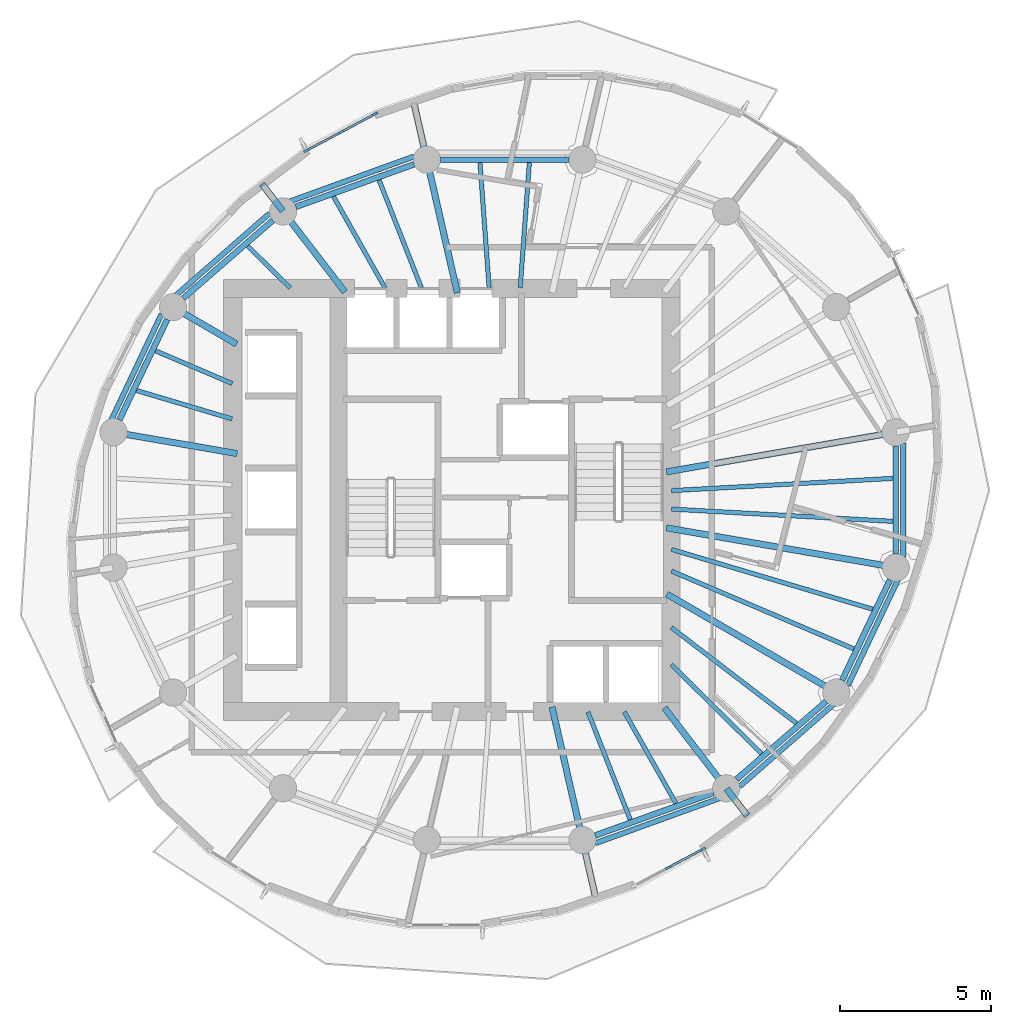
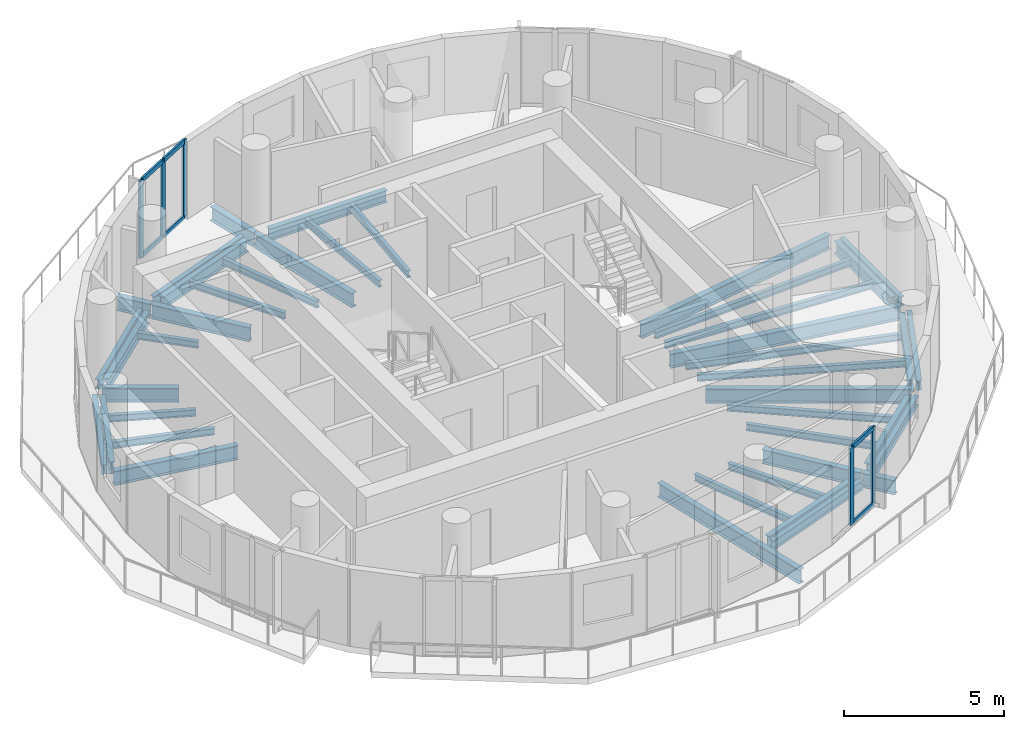
# One storey, part 2 of 10: 43 beams, 11 members, 2 elements without a shape of their own.
"""IFC4 building model written with IfcOpenShell, lengths in metres."""

import ifcopenshell
import ifcopenshell.guid

model = None  # the IFC model being written
_history = None  # IfcOwnerHistory: only IFC2X3 demands one
_inside = {}  # id of a spatial element -> (the spatial element, [elements in it])
_under = {}  # id of a project, library or spatial element -> (it, [spatial elements below it])
_declared = {}  # id of a project -> (the project, [libraries it declares])
_typed = {}  # id of a type object -> (the type object, [elements of that type])
_made_of = {}  # id of a material, layer set ... -> (it, [elements and type objects made of it])


def new_model(schema):
    """Start an empty IFC model of exactly this schema.

    Asked for "IFC4X3", IfcOpenShell would pick the latest addendum, in which some entities
    have other attributes; the version numbers below select the first issue.
    IFC2X3 requires an IfcOwnerHistory on every rooted entity: one is made here for all.
    """
    global model, _history
    if schema == "IFC4X3":
        model = ifcopenshell.file(schema_version=(4, 3, 0, 0))
    else:
        model = ifcopenshell.file(schema=schema)
    _inside.clear()
    _under.clear()
    _declared.clear()
    _typed.clear()
    _made_of.clear()
    _history = None
    if model.schema == "IFC2X3":
        org = make("IfcOrganization", Name="unknown")
        user = make(
            "IfcPersonAndOrganization",
            ThePerson=make("IfcPerson", FamilyName="unknown"),
            TheOrganization=org,
        )
        app = make(
            "IfcApplication",
            ApplicationDeveloper=org,
            Version="unknown",
            ApplicationFullName="unknown",
            ApplicationIdentifier="unknown",
        )
        _history = make(
            "IfcOwnerHistory",
            OwningUser=user,
            OwningApplication=app,
            ChangeAction="ADDED",
            CreationDate=0,
        )
    return model


def make(cls, **values):
    """One entity of the class cls with the attributes given. An attribute that is None is left unset."""
    return model.create_entity(
        cls, **{name: value for name, value in values.items() if value is not None}
    )


def rooted(cls, **values):
    """An entity with a GlobalId (a new one), such as an element, a storey or a relation."""
    return make(cls, GlobalId=ifcopenshell.guid.new(), OwnerHistory=_history, **values)


def si_unit(unit_type, name, prefix=None):
    """IfcSIUnit, for example si_unit("LENGTHUNIT", "METRE", prefix="MILLI")."""
    return make("IfcSIUnit", UnitType=unit_type, Prefix=prefix, Name=name)


def assignment(units):
    """IfcUnitAssignment: the units of a project."""
    return None if units is None else make("IfcUnitAssignment", Units=units)


def point(xyz):
    """IfcCartesianPoint."""
    return None if xyz is None else make("IfcCartesianPoint", Coordinates=xyz)


def direction(xyz):
    """IfcDirection."""
    return None if xyz is None else make("IfcDirection", DirectionRatios=xyz)


def frame(location, z_axis=None, x_axis=None):
    """IfcAxis2Placement3D, a coordinate frame: its origin and axes. An axis left out is left unset."""
    return make(
        "IfcAxis2Placement3D",
        Location=point(location),
        Axis=direction(z_axis),
        RefDirection=direction(x_axis),
    )


def frame_2d(location, x_axis=None):
    """IfcAxis2Placement2D, a coordinate frame in the plane: its origin and x axis."""
    return make(
        "IfcAxis2Placement2D", Location=point(location), RefDirection=direction(x_axis)
    )


def origin():
    """The frame at (0, 0, 0) with its axes left unset."""
    return frame((0.0, 0.0, 0.0))


def origin_2d():
    """The frame at (0, 0) in the plane with its x axis left unset."""
    return frame_2d((0.0, 0.0))


def place(relative_to, where):
    """IfcLocalPlacement: puts the frame where relative to a parent placement (None: the world)."""
    return make(
        "IfcLocalPlacement", PlacementRelTo=relative_to, RelativePlacement=where
    )


def context(
    kind, dimensions, precision=None, world=None, true_north=None, identifier=None
):
    """IfcGeometricRepresentationContext, for example the 3D "Model" context."""
    return make(
        "IfcGeometricRepresentationContext",
        ContextIdentifier=identifier,
        ContextType=kind,
        CoordinateSpaceDimension=dimensions,
        Precision=precision,
        WorldCoordinateSystem=world,
        TrueNorth=true_north,
    )


def subcontext(parent, identifier, kind, view, scale=None):
    """IfcGeometricRepresentationSubContext, for example "Body" below "Model"."""
    return make(
        "IfcGeometricRepresentationSubContext",
        ContextIdentifier=identifier,
        ContextType=kind,
        ParentContext=parent,
        TargetScale=scale,
        TargetView=view,
    )


def project(units=None, contexts=None):
    """IfcProject with its units and contexts."""
    return rooted(
        "IfcProject",
        Name="project",
        RepresentationContexts=contexts,
        UnitsInContext=assignment(units),
    )


def spatial(cls, under=None, at=None, **own):
    """A site, building, storey or space (cls), placed at a placement, below another one or the project."""
    s = rooted(cls, ObjectPlacement=at, **own)
    if under is not None:
        _under.setdefault(under.id(), (under, []))[1].append(s)
    return s


def profile(cls, at=None, kind="AREA", **sizes):
    """A parametric profile (cls). Its sizes go by their IFC names, for example OverallWidth=200.0."""
    return make(cls, ProfileType=kind, Position=at, **sizes)


def rectangle(**sizes):
    """IfcRectangleProfileDef."""
    return profile("IfcRectangleProfileDef", **sizes)


def i_section(**sizes):
    """IfcIShapeProfileDef."""
    return profile("IfcIShapeProfileDef", **sizes)


def extrude(swept, where, along, depth):
    """IfcExtrudedAreaSolid: the profile swept, set in the frame where, extruded along a direction by depth."""
    return make(
        "IfcExtrudedAreaSolid",
        SweptArea=swept,
        Position=where,
        ExtrudedDirection=direction(along),
        Depth=depth,
    )


def shape(context_of_items, identifier, shape_type, items):
    """IfcShapeRepresentation: the items that make up one representation, for example the "Body"."""
    return make(
        "IfcShapeRepresentation",
        ContextOfItems=context_of_items,
        RepresentationIdentifier=identifier,
        RepresentationType=shape_type,
        Items=items,
    )


def material(Name=None, Category=None):
    """IfcMaterial."""
    return make("IfcMaterial", Name=Name, Category=Category)


def material_profile(
    of_material, cross_section, Name=None, Category=None, Priority=None
):
    """IfcMaterialProfile: a cross section and its material."""
    return make(
        "IfcMaterialProfile",
        Name=Name,
        Material=of_material,
        Profile=cross_section,
        Priority=Priority,
        Category=Category,
    )


def profile_set(profiles, Name=None, composite=None):
    """IfcMaterialProfileSet."""
    return make(
        "IfcMaterialProfileSet",
        Name=Name,
        MaterialProfiles=profiles,
        CompositeProfile=composite,
    )


def made_of(thing, what):
    """Note that an element or type object is made of a material, layer set ...; save() writes the relation."""
    if what is not None:
        _made_of.setdefault(what.id(), (what, []))[1].append(thing)
    return thing


def type_object(cls, material=None, **own):
    """A type object (cls), such as IfcWallType, which elements share."""
    return made_of(rooted(cls, **own), material)


def element(
    cls,
    number,
    at=None,
    inside=None,
    cuts=None,
    type_object=None,
    material=None,
    context=None,
    identifier="Body",
    shape_type=None,
    held_by="IfcProductDefinitionShape",
    body=None,
    shapes=None,
    **own,
):
    """One element of the class cls, such as IfcWall. Its Tag is "e" and its number.

    at: its placement. inside: the storey or other place that contains it. cuts: it is an
    opening in that element (IfcRelVoidsElement). A single representation is given by context,
    identifier, shape_type and body (its items); several are given by shapes. held_by: the class
    of the entity that holds the representations. save() writes the other relations.
    """
    e = rooted(cls, Tag="e%d" % number, ObjectPlacement=at, **own)
    if body is not None:
        shapes = [shape(context, identifier, shape_type, body)]
    if shapes is not None:
        e.Representation = make(held_by, Representations=shapes)
    if inside is not None:
        _inside.setdefault(inside.id(), (inside, []))[1].append(e)
    if cuts is not None:
        rooted(
            "IfcRelVoidsElement", RelatingBuildingElement=cuts, RelatedOpeningElement=e
        )
    if type_object is not None:
        _typed.setdefault(type_object.id(), (type_object, []))[1].append(e)
    return made_of(e, material)


def aggregate(whole, parts):
    """IfcRelAggregates: a whole, such as a stair, and the parts it consists of."""
    return rooted("IfcRelAggregates", RelatingObject=whole, RelatedObjects=parts)


def save(model, path):
    """Write the relations noted so far, then the file.

    IfcRelAggregates (storeys below a building ...), IfcRelContainedInSpatialStructure (elements
    in a storey), IfcRelDefinesByType, IfcRelAssociatesMaterial and IfcRelDeclares: one each for
    every whole, place, type object, material and project.
    """
    for whole, parts in _under.values():
        aggregate(whole, parts)
    for where, things in _inside.values():
        rooted(
            "IfcRelContainedInSpatialStructure",
            RelatedElements=things,
            RelatingStructure=where,
        )
    for kind, things in _typed.values():
        rooted("IfcRelDefinesByType", RelatedObjects=things, RelatingType=kind)
    for what, things in _made_of.values():
        rooted("IfcRelAssociatesMaterial", RelatedObjects=things, RelatingMaterial=what)
    for by, libraries in _declared.values():
        rooted("IfcRelDeclares", RelatingContext=by, RelatedDefinitions=libraries)
    model.write(path)


model = new_model("IFC4")

# Units and contexts
model_context = context("Model", 3, precision=1e-05, world=origin(), true_north=direction((0.0, 1.0)))
body_context = subcontext(model_context, "Body", "Model", "MODEL_VIEW")
ifc_project = project(units=[si_unit("LENGTHUNIT", "METRE"), si_unit("AREAUNIT", "SQUARE_METRE"), si_unit("VOLUMEUNIT", "CUBIC_METRE"), si_unit("PLANEANGLEUNIT", "RADIAN"), si_unit("MASSUNIT", "GRAM", prefix="KILO")], contexts=[model_context])

# Site, building, storey
site_placement = place(None, origin())
site = spatial("IfcSite", under=ifc_project, at=site_placement, CompositionType="ELEMENT")
building_placement = place(site_placement, origin())
building = spatial("IfcBuilding", under=site, at=building_placement, Name="Veldorim Arch Residences", CompositionType="ELEMENT")
storey_placement = place(building_placement, frame((0.0, 0.0, 166.239990234375)))
storey = spatial("IfcBuildingStorey", under=building, at=storey_placement, Name="L49", CompositionType="ELEMENT", Elevation=166.239990234375)

# Beams
ifc_material_1 = material(Name="Steel S355", Category="steel")
ifc_material_profile_1 = material_profile(ifc_material_1, i_section(OverallWidth=0.2119140625, OverallDepth=0.54443359375, WebThickness=0.0126953125, FlangeThickness=0.021240234375, at=origin_2d()), Name="UB533x210x122")
ifc_profile_set_1 = profile_set([ifc_material_profile_1], Name="Steel S355")
beam_type_1 = type_object("IfcBeamType", Name="Structural Steel Beam UB533x210x122", PredefinedType="BEAM", material=ifc_profile_set_1)
beam_1_placement = place(storey_placement, frame((37.352294921875, 24.92578125, -0.51220703125), z_axis=(0.985364974081, 0.170457818401, 0.0), x_axis=(-0.170457818401, 0.985364974081, 0.0)))
element("IfcBeam", 1, at=beam_1_placement, inside=storey, type_object=beam_type_1, Name="L49 radial floor girder 01", PredefinedType="BEAM", context=body_context, shape_type="SweptSolid", body=[
    extrude(i_section(OverallWidth=0.2119140625, OverallDepth=0.54443359375, WebThickness=0.0126953125, FlangeThickness=0.021240234375, at=origin_2d()), origin(), (0.0, 0.0, 1.0), 7.68701171875),
])
beam_2_placement = place(storey_placement, frame((30.432373046875, 30.853759765625, -0.51220703125), z_axis=(-0.222952976993, 0.97482920045, 0.0), x_axis=(-0.97482920045, -0.222952976993, 0.0)))
element("IfcBeam", 2, at=beam_2_placement, inside=storey, type_object=beam_type_1, Name="L49 radial floor girder 05", PredefinedType="BEAM", context=body_context, shape_type="SweptSolid", body=[
    extrude(i_section(OverallWidth=0.2119140625, OverallDepth=0.54443359375, WebThickness=0.0126953125, FlangeThickness=0.021240234375, at=origin_2d()), origin(), (0.0, 0.0, 1.0), 4.49951171875),
])
beam_3_placement = place(storey_placement, frame((29.42041015625, 35.27880859375, -0.51220703125), z_axis=(-0.223002397565, 0.974817896163, 0.0), x_axis=(-0.974817896163, -0.223002397565, 0.0)))
element("IfcBeam", 3, at=beam_3_placement, inside=storey, type_object=beam_type_1, Name="L49 radial edge cantilever girder 05", PredefinedType="BEAM", context=body_context, shape_type="SweptSolid", body=[
    extrude(i_section(OverallWidth=0.2119140625, OverallDepth=0.54443359375, WebThickness=0.0126953125, FlangeThickness=0.021240234375, at=origin_2d()), origin(), (0.0, 0.0, 1.0), 1.978271484375),
])
beam_4_placement = place(storey_placement, frame((26.71337890625, 30.881103515625, -0.51220703125), z_axis=(-0.609258442308, 0.792971721108, 0.0), x_axis=(-0.792971721108, -0.609258442308, 0.0)))
element("IfcBeam", 4, at=beam_4_placement, inside=storey, type_object=beam_type_1, Name="L49 radial floor girder 06", PredefinedType="BEAM", context=body_context, shape_type="SweptSolid", body=[
    extrude(i_section(OverallWidth=0.2119140625, OverallDepth=0.54443359375, WebThickness=0.0126953125, FlangeThickness=0.021240234375, at=origin_2d()), origin(), (0.0, 0.0, 1.0), 3.339599609375),
])
beam_5_placement = place(storey_placement, frame((24.654296875, 33.561279296875, -0.51220703125), z_axis=(-0.609364739023, 0.792890039561, 0.0), x_axis=(-0.792890039561, -0.609364739023, 0.0)))
element("IfcBeam", 5, at=beam_5_placement, inside=storey, type_object=beam_type_1, Name="L49 radial edge cantilever girder 06", PredefinedType="BEAM", context=body_context, shape_type="SweptSolid", body=[
    extrude(i_section(OverallWidth=0.2119140625, OverallDepth=0.54443359375, WebThickness=0.0126953125, FlangeThickness=0.021240234375, at=origin_2d()), origin(), (0.0, 0.0, 1.0), 1.12548828125),
])
beam_6_placement = place(storey_placement, frame((23.129638671875, 29.154541015625, -0.51220703125), z_axis=(-0.86457358994, 0.502506226407, 0.0), x_axis=(-0.502506226407, -0.86457358994, 0.0)))
element("IfcBeam", 6, at=beam_6_placement, inside=storey, type_object=beam_type_1, Name="L49 radial floor girder 07", PredefinedType="BEAM", context=body_context, shape_type="SweptSolid", body=[
    extrude(i_section(OverallWidth=0.2119140625, OverallDepth=0.54443359375, WebThickness=0.0126953125, FlangeThickness=0.021240234375, at=origin_2d()), origin(), (0.0, 0.0, 1.0), 2.41455078125),
])
beam_7_placement = place(storey_placement, frame((23.147705078125, 25.53125, -0.51220703125), z_axis=(-0.985365193997, 0.170456547131, 0.0), x_axis=(-0.170456547131, -0.985365193997, 0.0)))
element("IfcBeam", 7, at=beam_7_placement, inside=storey, type_object=beam_type_1, Name="L49 radial floor girder 08", PredefinedType="BEAM", context=body_context, shape_type="SweptSolid", body=[
    extrude(i_section(OverallWidth=0.2119140625, OverallDepth=0.54443359375, WebThickness=0.0126953125, FlangeThickness=0.021240234375, at=origin_2d()), origin(), (0.0, 0.0, 1.0), 4.135009765625),
])
beam_8_placement = place(storey_placement, frame((33.567626953125, 17.146240234375, -0.51220703125), z_axis=(0.222952976993, -0.97482920045, 0.0), x_axis=(0.97482920045, 0.222952976993, 0.0)))
element("IfcBeam", 8, at=beam_8_placement, inside=storey, type_object=beam_type_1, Name="L49 radial floor girder 13", PredefinedType="BEAM", context=body_context, shape_type="SweptSolid", body=[
    extrude(i_section(OverallWidth=0.2119140625, OverallDepth=0.54443359375, WebThickness=0.0126953125, FlangeThickness=0.021240234375, at=origin_2d()), origin(), (0.0, 0.0, 1.0), 4.49951171875),
])
beam_9_placement = place(storey_placement, frame((34.57958984375, 12.72119140625, -0.51220703125), z_axis=(0.223002397565, -0.974817896163, 0.0), x_axis=(0.974817896163, 0.223002397565, 0.0)))
element("IfcBeam", 9, at=beam_9_placement, inside=storey, type_object=beam_type_1, Name="L49 radial edge cantilever girder 13", PredefinedType="BEAM", context=body_context, shape_type="SweptSolid", body=[
    extrude(i_section(OverallWidth=0.2119140625, OverallDepth=0.54443359375, WebThickness=0.0126953125, FlangeThickness=0.021240234375, at=origin_2d()), origin(), (0.0, 0.0, 1.0), 1.978271484375),
])
beam_10_placement = place(storey_placement, frame((37.28662109375, 17.118896484375, -0.51220703125), z_axis=(0.609258442308, -0.792971721108, 0.0), x_axis=(0.792971721108, 0.609258442308, 0.0)))
element("IfcBeam", 10, at=beam_10_placement, inside=storey, type_object=beam_type_1, Name="L49 radial floor girder 14", PredefinedType="BEAM", context=body_context, shape_type="SweptSolid", body=[
    extrude(i_section(OverallWidth=0.2119140625, OverallDepth=0.54443359375, WebThickness=0.0126953125, FlangeThickness=0.021240234375, at=origin_2d()), origin(), (0.0, 0.0, 1.0), 3.339599609375),
])
beam_11_placement = place(storey_placement, frame((39.345703125, 14.438720703125, -0.51220703125), z_axis=(0.609364739023, -0.792890039561, 0.0), x_axis=(0.792890039561, 0.609364739023, 0.0)))
element("IfcBeam", 11, at=beam_11_placement, inside=storey, type_object=beam_type_1, Name="L49 radial edge cantilever girder 14", PredefinedType="BEAM", context=body_context, shape_type="SweptSolid", body=[
    extrude(i_section(OverallWidth=0.2119140625, OverallDepth=0.54443359375, WebThickness=0.0126953125, FlangeThickness=0.021240234375, at=origin_2d()), origin(), (0.0, 0.0, 1.0), 1.12548828125),
])
beam_12_placement = place(storey_placement, frame((37.370361328125, 20.87939453125, -0.51220703125), z_axis=(0.864595736304, -0.502468121142, 0.0), x_axis=(0.502468121142, 0.864595736304, 0.0)))
element("IfcBeam", 12, at=beam_12_placement, inside=storey, type_object=beam_type_1, Name="L49 radial floor girder 15", PredefinedType="BEAM", context=body_context, shape_type="SweptSolid", body=[
    extrude(i_section(OverallWidth=0.2119140625, OverallDepth=0.54443359375, WebThickness=0.0126953125, FlangeThickness=0.021240234375, at=origin_2d()), origin(), (0.0, 0.0, 1.0), 6.462646484375),
])
beam_13_placement = place(storey_placement, frame((37.352294921875, 23.07421875, -0.51220703125), z_axis=(0.985364974081, -0.170457818401, 0.0), x_axis=(0.170457818401, 0.985364974081, 0.0)))
element("IfcBeam", 13, at=beam_13_placement, inside=storey, type_object=beam_type_1, Name="L49 radial floor girder 16", PredefinedType="BEAM", context=body_context, shape_type="SweptSolid", body=[
    extrude(i_section(OverallWidth=0.2119140625, OverallDepth=0.54443359375, WebThickness=0.0126953125, FlangeThickness=0.021240234375, at=origin_2d()), origin(), (0.0, 0.0, 1.0), 7.68701171875),
])
ifc_material_2 = material(Name="Steel S355", Category="steel")
ifc_material_profile_2 = material_profile(ifc_material_2, i_section(OverallWidth=0.146484375, OverallDepth=0.256103515625, WebThickness=0.00634765625, FlangeThickness=0.010986328125, at=origin_2d()), Name="UB254x146x37")
ifc_profile_set_2 = profile_set([ifc_material_profile_2], Name="Steel S355")
beam_type_2 = type_object("IfcBeamType", Name="Structural Steel Joist UB254x146x37", PredefinedType="JOIST", material=ifc_profile_set_2)
for number, where, z_axis, x_axis, name in (
    (14, (32.513916015625, 31.02001953125, -0.367919921875), (0.072985625899, 0.997332992742, 0.0), (-0.997332992742, 0.072985625899, 0.0), "L49 secondary radial floor joist 04-1"),
    (15, (31.486083984375, 31.02001953125, -0.367919921875), (-0.072985625899, 0.997332992742, 0.0), (-0.997332992742, -0.072985625899, 0.0), "L49 secondary radial floor joist 04-2"),
):
    element("IfcBeam", number, at=place(storey_placement, frame(where, z_axis=z_axis, x_axis=x_axis)), inside=storey, type_object=beam_type_2, Name=name, PredefinedType="JOIST", context=body_context, shape_type="SweptSolid", body=[
        extrude(i_section(OverallWidth=0.146484375, OverallDepth=0.256103515625, WebThickness=0.00634765625, FlangeThickness=0.010986328125, at=origin_2d()), origin(), (0.0, 0.0, 1.0), 4.151123046875),
    ])
beam_14_placement = place(storey_placement, frame((29.24365234375, 31.0185546875, -0.367919921875), z_axis=(-0.365581383042, 0.930779379001, 0.0), x_axis=(-0.930779379001, -0.365581383042, 0.0)))
element("IfcBeam", 16, at=beam_14_placement, inside=storey, type_object=beam_type_2, Name="L49 secondary radial floor joist 05-1", PredefinedType="JOIST", context=body_context, shape_type="SweptSolid", body=[
    extrude(i_section(OverallWidth=0.146484375, OverallDepth=0.256103515625, WebThickness=0.00634765625, FlangeThickness=0.010986328125, at=origin_2d()), origin(), (0.0, 0.0, 1.0), 3.83056640625),
])
beam_15_placement = place(storey_placement, frame((28.039794921875, 31.017333984375, -0.367919921875), z_axis=(-0.491452469585, 0.870904397818, 0.0), x_axis=(-0.870904397818, -0.491452469585, 0.0)))
element("IfcBeam", 17, at=beam_15_placement, inside=storey, type_object=beam_type_2, Name="L49 secondary radial floor joist 05-2", PredefinedType="JOIST", context=body_context, shape_type="SweptSolid", body=[
    extrude(i_section(OverallWidth=0.146484375, OverallDepth=0.256103515625, WebThickness=0.00634765625, FlangeThickness=0.010986328125, at=origin_2d()), origin(), (0.0, 0.0, 1.0), 3.472412109375),
])
beam_16_placement = place(storey_placement, frame((24.900390625, 31.01416015625, -0.367919921875), z_axis=(-0.71143147135, 0.702755477797, 0.0), x_axis=(-0.702755477797, -0.71143147135, 0.0)))
element("IfcBeam", 18, at=beam_16_placement, inside=storey, type_object=beam_type_2, Name="L49 secondary radial floor joist 06-1", PredefinedType="JOIST", context=body_context, shape_type="SweptSolid", body=[
    extrude(i_section(OverallWidth=0.146484375, OverallDepth=0.256103515625, WebThickness=0.00634765625, FlangeThickness=0.010986328125, at=origin_2d()), origin(), (0.0, 0.0, 1.0), 1.9697265625),
])
beam_17_placement = place(storey_placement, frame((22.981689453125, 27.849609375, -0.367919921875), z_axis=(-0.919739383422, 0.392529574151, 0.0), x_axis=(-0.392529574151, -0.919739383422, 0.0)))
element("IfcBeam", 19, at=beam_17_placement, inside=storey, type_object=beam_type_2, Name="L49 secondary radial floor joist 07-1", PredefinedType="JOIST", context=body_context, shape_type="SweptSolid", body=[
    extrude(i_section(OverallWidth=0.146484375, OverallDepth=0.256103515625, WebThickness=0.00634765625, FlangeThickness=0.010986328125, at=origin_2d()), origin(), (0.0, 0.0, 1.0), 2.757080078125),
])
beam_18_placement = place(storey_placement, frame((22.980712890625, 26.67919921875, -0.367919921875), z_axis=(-0.958596993625, 0.284766226601, 0.0), x_axis=(-0.284766226601, -0.958596993625, 0.0)))
element("IfcBeam", 20, at=beam_18_placement, inside=storey, type_object=beam_type_2, Name="L49 secondary radial floor joist 07-2", PredefinedType="JOIST", context=body_context, shape_type="SweptSolid", body=[
    extrude(i_section(OverallWidth=0.146484375, OverallDepth=0.256103515625, WebThickness=0.00634765625, FlangeThickness=0.010986328125, at=origin_2d()), origin(), (0.0, 0.0, 1.0), 3.298095703125),
])
beam_19_placement = place(storey_placement, frame((34.75634765625, 16.9814453125, -0.367919921875), z_axis=(0.365581383042, -0.930779379001, 0.0), x_axis=(0.930779379001, 0.365581383042, 0.0)))
element("IfcBeam", 21, at=beam_19_placement, inside=storey, type_object=beam_type_2, Name="L49 secondary radial floor joist 13-1", PredefinedType="JOIST", context=body_context, shape_type="SweptSolid", body=[
    extrude(i_section(OverallWidth=0.146484375, OverallDepth=0.256103515625, WebThickness=0.00634765625, FlangeThickness=0.010986328125, at=origin_2d()), origin(), (0.0, 0.0, 1.0), 3.83056640625),
])
beam_20_placement = place(storey_placement, frame((35.960205078125, 16.982666015625, -0.367919921875), z_axis=(0.491452469585, -0.870904397818, 0.0), x_axis=(0.870904397818, 0.491452469585, 0.0)))
element("IfcBeam", 22, at=beam_20_placement, inside=storey, type_object=beam_type_2, Name="L49 secondary radial floor joist 13-2", PredefinedType="JOIST", context=body_context, shape_type="SweptSolid", body=[
    extrude(i_section(OverallWidth=0.146484375, OverallDepth=0.256103515625, WebThickness=0.00634765625, FlangeThickness=0.010986328125, at=origin_2d()), origin(), (0.0, 0.0, 1.0), 3.472412109375),
])
beam_21_placement = place(storey_placement, frame((37.51416015625, 18.55224609375, -0.367919921875), z_axis=(0.711396725432, -0.702790650937, 0.0), x_axis=(0.702790650937, 0.711396725432, 0.0)))
element("IfcBeam", 23, at=beam_21_placement, inside=storey, type_object=beam_type_2, Name="L49 secondary radial floor joist 14-1", PredefinedType="JOIST", context=body_context, shape_type="SweptSolid", body=[
    extrude(i_section(OverallWidth=0.146484375, OverallDepth=0.256103515625, WebThickness=0.00634765625, FlangeThickness=0.010986328125, at=origin_2d()), origin(), (0.0, 0.0, 1.0), 4.198486328125),
])
beam_22_placement = place(storey_placement, frame((37.515869140625, 19.777099609375, -0.367919921875), z_axis=(0.794013672216, -0.607899899929, 0.0), x_axis=(0.607899899929, 0.794013672216, 0.0)))
element("IfcBeam", 24, at=beam_22_placement, inside=storey, type_object=beam_type_2, Name="L49 secondary radial floor joist 14-2", PredefinedType="JOIST", context=body_context, shape_type="SweptSolid", body=[
    extrude(i_section(OverallWidth=0.146484375, OverallDepth=0.256103515625, WebThickness=0.00634765625, FlangeThickness=0.010986328125, at=origin_2d()), origin(), (0.0, 0.0, 1.0), 5.217041015625),
])
beam_23_placement = place(storey_placement, frame((37.518310546875, 21.644287109375, -0.367919921875), z_axis=(0.919725161652, -0.392562895629, 0.0), x_axis=(0.392562895629, 0.919725161652, 0.0)))
element("IfcBeam", 25, at=beam_23_placement, inside=storey, type_object=beam_type_2, Name="L49 secondary radial floor joist 15-1", PredefinedType="JOIST", context=body_context, shape_type="SweptSolid", body=[
    extrude(i_section(OverallWidth=0.146484375, OverallDepth=0.256103515625, WebThickness=0.00634765625, FlangeThickness=0.010986328125, at=origin_2d()), origin(), (0.0, 0.0, 1.0), 6.5625),
])
beam_24_placement = place(storey_placement, frame((37.519287109375, 22.360595703125, -0.367919921875), z_axis=(0.958594432792, -0.284774846889, 0.0), x_axis=(0.284774846889, 0.958594432792, 0.0)))
element("IfcBeam", 26, at=beam_24_placement, inside=storey, type_object=beam_type_2, Name="L49 secondary radial floor joist 15-2", PredefinedType="JOIST", context=body_context, shape_type="SweptSolid", body=[
    extrude(i_section(OverallWidth=0.146484375, OverallDepth=0.256103515625, WebThickness=0.00634765625, FlangeThickness=0.010986328125, at=origin_2d()), origin(), (0.0, 0.0, 1.0), 6.949462890625),
])
for number, where, z_axis, x_axis, name in (
    (27, (37.52001953125, 23.6943359375, -0.367919921875), (0.998472000884, -0.055259962464, 0.0), (0.055259962464, 0.998472000884, 0.0), "L49 secondary radial floor joist 16-1"),
    (28, (37.52001953125, 24.3056640625, -0.367919921875), (0.998472000884, 0.055259962464, 0.0), (-0.055259962464, 0.998472000884, 0.0), "L49 secondary radial floor joist 16-2"),
):
    element("IfcBeam", number, at=place(storey_placement, frame(where, z_axis=z_axis, x_axis=x_axis)), inside=storey, type_object=beam_type_2, Name=name, PredefinedType="JOIST", context=body_context, shape_type="SweptSolid", body=[
        extrude(i_section(OverallWidth=0.146484375, OverallDepth=0.256103515625, WebThickness=0.00634765625, FlangeThickness=0.010986328125, at=origin_2d()), origin(), (0.0, 0.0, 1.0), 7.33837890625),
    ])
ifc_material_3 = material(Name="Steel S355", Category="steel")
ifc_material_profile_3 = material_profile(ifc_material_3, i_section(OverallWidth=0.172119140625, OverallDepth=0.35791015625, WebThickness=0.008056640625, FlangeThickness=0.012939453125, at=origin_2d()), Name="UB356x171x57")
ifc_profile_set_3 = profile_set([ifc_material_profile_3], Name="Steel S355")
beam_type_3 = type_object("IfcBeamType", Name="Structural Steel Spandrel UB356x171x57", PredefinedType="SPANDREL", material=ifc_profile_set_3)
beam_25_placement = place(storey_placement, frame((28.997314453125, 35.36572265625, -0.43896484375), z_axis=(-0.940164695555, -0.340720332871, 0.0), x_axis=(0.340720332871, -0.940164695555, 0.0)))
element("IfcBeam", 29, at=beam_25_placement, inside=storey, type_object=beam_type_3, Name="L49 perimeter chord spandrel beam 05", PredefinedType="SPANDREL", context=body_context, shape_type="SweptSolid", body=[
    extrude(i_section(OverallWidth=0.172119140625, OverallDepth=0.35791015625, WebThickness=0.008056640625, FlangeThickness=0.012939453125, at=origin_2d()), origin(), (0.0, 0.0, 1.0), 4.370849609375),
])
beam_26_placement = place(storey_placement, frame((24.217529296875, 33.48095703125, -0.43896484375), z_axis=(-0.752847646119, -0.6581948205, 0.0), x_axis=(0.6581948205, -0.752847646119, 0.0)))
element("IfcBeam", 30, at=beam_26_placement, inside=storey, type_object=beam_type_3, Name="L49 perimeter chord spandrel beam 06", PredefinedType="SPANDREL", context=body_context, shape_type="SweptSolid", body=[
    extrude(i_section(OverallWidth=0.172119140625, OverallDepth=0.35791015625, WebThickness=0.008056640625, FlangeThickness=0.012939453125, at=origin_2d()), origin(), (0.0, 0.0, 1.0), 4.12939453125),
])
beam_27_placement = place(storey_placement, frame((20.64111328125, 30.144287109375, -0.43896484375), z_axis=(-0.428408308939, -0.903585259304, 0.0), x_axis=(0.903585259304, -0.428408308939, 0.0)))
element("IfcBeam", 31, at=beam_27_placement, inside=storey, type_object=beam_type_3, Name="L49 perimeter chord spandrel beam 07", PredefinedType="SPANDREL", context=body_context, shape_type="SweptSolid", body=[
    extrude(i_section(OverallWidth=0.172119140625, OverallDepth=0.35791015625, WebThickness=0.008056640625, FlangeThickness=0.012939453125, at=origin_2d()), origin(), (0.0, 0.0, 1.0), 3.878662109375),
])
beam_28_placement = place(storey_placement, frame((35.002685546875, 12.63427734375, -0.43896484375), z_axis=(0.940164695555, 0.340720332871, 0.0), x_axis=(-0.340720332871, 0.940164695555, 0.0)))
element("IfcBeam", 32, at=beam_28_placement, inside=storey, type_object=beam_type_3, Name="L49 perimeter chord spandrel beam 13", PredefinedType="SPANDREL", context=body_context, shape_type="SweptSolid", body=[
    extrude(i_section(OverallWidth=0.172119140625, OverallDepth=0.35791015625, WebThickness=0.008056640625, FlangeThickness=0.012939453125, at=origin_2d()), origin(), (0.0, 0.0, 1.0), 4.370849609375),
])
beam_29_placement = place(storey_placement, frame((39.782470703125, 14.51904296875, -0.43896484375), z_axis=(0.752847646119, 0.6581948205, 0.0), x_axis=(-0.6581948205, 0.752847646119, 0.0)))
element("IfcBeam", 33, at=beam_29_placement, inside=storey, type_object=beam_type_3, Name="L49 perimeter chord spandrel beam 14", PredefinedType="SPANDREL", context=body_context, shape_type="SweptSolid", body=[
    extrude(i_section(OverallWidth=0.172119140625, OverallDepth=0.35791015625, WebThickness=0.008056640625, FlangeThickness=0.012939453125, at=origin_2d()), origin(), (0.0, 0.0, 1.0), 4.12939453125),
])
beam_30_placement = place(storey_placement, frame((43.35888671875, 17.855712890625, -0.43896484375), z_axis=(0.428408308939, 0.903585259304, 0.0), x_axis=(-0.903585259304, 0.428408308939, 0.0)))
element("IfcBeam", 34, at=beam_30_placement, inside=storey, type_object=beam_type_3, Name="L49 perimeter chord spandrel beam 15", PredefinedType="SPANDREL", context=body_context, shape_type="SweptSolid", body=[
    extrude(i_section(OverallWidth=0.172119140625, OverallDepth=0.35791015625, WebThickness=0.008056640625, FlangeThickness=0.012939453125, at=origin_2d()), origin(), (0.0, 0.0, 1.0), 3.878662109375),
])
beam_31_placement = place(storey_placement, frame((45.190185546875, 22.1142578125, -0.43896484375), z_axis=(0.0, 1.0, 0.0), x_axis=(-1.0, 0.0, 0.0)))
element("IfcBeam", 35, at=beam_31_placement, inside=storey, type_object=beam_type_3, Name="L49 perimeter chord spandrel beam 16", PredefinedType="SPANDREL", context=body_context, shape_type="SweptSolid", body=[
    extrude(i_section(OverallWidth=0.172119140625, OverallDepth=0.35791015625, WebThickness=0.008056640625, FlangeThickness=0.012939453125, at=origin_2d()), origin(), (0.0, 0.0, 1.0), 3.771484375),
])
ifc_material_4 = material(Name="Steel S355", Category="steel")
ifc_material_profile_4 = material_profile(ifc_material_4, i_section(OverallWidth=0.19140625, OverallDepth=0.4599609375, WebThickness=0.010009765625, FlangeThickness=0.01611328125, at=origin_2d()), Name="UB457x191x82")
ifc_profile_set_4 = profile_set([ifc_material_profile_4], Name="Steel S355")
beam_type_4 = type_object("IfcBeamType", Name="Structural Steel Spandrel UB457x191x82", PredefinedType="SPANDREL", material=ifc_profile_set_4)
beam_32_placement = place(storey_placement, frame((34.125244140625, 35.259521484375, -0.469970703125), z_axis=(-1.0, 0.0, 0.0), x_axis=(0.0, -1.0, 0.0)))
element("IfcBeam", 36, at=beam_32_placement, inside=storey, type_object=beam_type_4, Name="L49 perimeter ring tie beam 04", PredefinedType="SPANDREL", context=body_context, shape_type="SweptSolid", body=[
    extrude(i_section(OverallWidth=0.19140625, OverallDepth=0.4599609375, WebThickness=0.010009765625, FlangeThickness=0.01611328125, at=origin_2d()), origin(), (0.0, 0.0, 1.0), 4.25048828125),
])
beam_33_placement = place(storey_placement, frame((29.00146484375, 35.10693359375, -0.469970703125), z_axis=(-0.940811035395, -0.338931550137, 0.0), x_axis=(0.338931550137, -0.940811035395, 0.0)))
element("IfcBeam", 37, at=beam_33_placement, inside=storey, type_object=beam_type_4, Name="L49 perimeter ring tie beam 05", PredefinedType="SPANDREL", context=body_context, shape_type="SweptSolid", body=[
    extrude(i_section(OverallWidth=0.19140625, OverallDepth=0.4599609375, WebThickness=0.010009765625, FlangeThickness=0.01611328125, at=origin_2d()), origin(), (0.0, 0.0, 1.0), 4.15771484375),
])
beam_34_placement = place(storey_placement, frame((24.326904296875, 33.25, -0.469970703125), z_axis=(-0.754545285701, -0.656247980436, 0.0), x_axis=(0.656247980436, -0.754545285701, 0.0)))
element("IfcBeam", 38, at=beam_34_placement, inside=storey, type_object=beam_type_4, Name="L49 perimeter ring tie beam 06", PredefinedType="SPANDREL", context=body_context, shape_type="SweptSolid", body=[
    extrude(i_section(OverallWidth=0.19140625, OverallDepth=0.4599609375, WebThickness=0.010009765625, FlangeThickness=0.01611328125, at=origin_2d()), origin(), (0.0, 0.0, 1.0), 3.9267578125),
])
beam_35_placement = place(storey_placement, frame((20.8310546875, 29.9716796875, -0.469970703125), z_axis=(-0.430005613988, -0.902826213586, 0.0), x_axis=(0.902826213586, -0.430005613988, 0.0)))
element("IfcBeam", 39, at=beam_35_placement, inside=storey, type_object=beam_type_4, Name="L49 perimeter ring tie beam 07", PredefinedType="SPANDREL", context=body_context, shape_type="SweptSolid", body=[
    extrude(i_section(OverallWidth=0.19140625, OverallDepth=0.4599609375, WebThickness=0.010009765625, FlangeThickness=0.01611328125, at=origin_2d()), origin(), (0.0, 0.0, 1.0), 3.68359375),
])
beam_36_placement = place(storey_placement, frame((34.99853515625, 12.89306640625, -0.469970703125), z_axis=(0.940811035395, 0.338931550137, 0.0), x_axis=(-0.338931550137, 0.940811035395, 0.0)))
element("IfcBeam", 40, at=beam_36_placement, inside=storey, type_object=beam_type_4, Name="L49 perimeter ring tie beam 13", PredefinedType="SPANDREL", context=body_context, shape_type="SweptSolid", body=[
    extrude(i_section(OverallWidth=0.19140625, OverallDepth=0.4599609375, WebThickness=0.010009765625, FlangeThickness=0.01611328125, at=origin_2d()), origin(), (0.0, 0.0, 1.0), 4.15771484375),
])
beam_37_placement = place(storey_placement, frame((39.673095703125, 14.75, -0.469970703125), z_axis=(0.754545285701, 0.656247980436, 0.0), x_axis=(-0.656247980436, 0.754545285701, 0.0)))
element("IfcBeam", 41, at=beam_37_placement, inside=storey, type_object=beam_type_4, Name="L49 perimeter ring tie beam 14", PredefinedType="SPANDREL", context=body_context, shape_type="SweptSolid", body=[
    extrude(i_section(OverallWidth=0.19140625, OverallDepth=0.4599609375, WebThickness=0.010009765625, FlangeThickness=0.01611328125, at=origin_2d()), origin(), (0.0, 0.0, 1.0), 3.9267578125),
])
beam_38_placement = place(storey_placement, frame((43.1689453125, 18.0283203125, -0.469970703125), z_axis=(0.430005613988, 0.902826213586, 0.0), x_axis=(-0.902826213586, 0.430005613988, 0.0)))
element("IfcBeam", 42, at=beam_38_placement, inside=storey, type_object=beam_type_4, Name="L49 perimeter ring tie beam 15", PredefinedType="SPANDREL", context=body_context, shape_type="SweptSolid", body=[
    extrude(i_section(OverallWidth=0.19140625, OverallDepth=0.4599609375, WebThickness=0.010009765625, FlangeThickness=0.01611328125, at=origin_2d()), origin(), (0.0, 0.0, 1.0), 3.68359375),
])
beam_39_placement = place(storey_placement, frame((44.9462890625, 22.21044921875, -0.469970703125), z_axis=(0.0, 1.0, 0.0), x_axis=(-1.0, 0.0, 0.0)))
element("IfcBeam", 43, at=beam_39_placement, inside=storey, type_object=beam_type_4, Name="L49 perimeter ring tie beam 16", PredefinedType="SPANDREL", context=body_context, shape_type="SweptSolid", body=[
    extrude(i_section(OverallWidth=0.19140625, OverallDepth=0.4599609375, WebThickness=0.010009765625, FlangeThickness=0.01611328125, at=origin_2d()), origin(), (0.0, 0.0, 1.0), 3.5791015625),
])

# Curtain wall, members
ifc_material_5 = material(Name="Aluminium", Category="aluminium")
curtain_wall_type = type_object("IfcCurtainWallType", Name="Zone 4 High-Altitude Unitised Curtain Wall", PredefinedType="NOTDEFINED", material=ifc_material_5)
curtain_wall_1_placement = place(storey_placement, origin())
curtain_wall_1 = element("IfcCurtainWall", 44, at=curtain_wall_1_placement, inside=storey, type_object=curtain_wall_type, Name="L49 unitised curtain wall bay 08", PredefinedType="NOTDEFINED")
ifc_material_6 = material(Name="Aluminium", Category="aluminium")
ifc_material_profile_5 = material_profile(ifc_material_6, rectangle(XDim=0.074951171875, YDim=0.195068359375, at=origin_2d()), Name="ALU_MUL_75x195")
ifc_profile_set_5 = profile_set([ifc_material_profile_5], Name="Aluminium")
member_type_1 = type_object("IfcMemberType", Name="Zone 4 High-Altitude Unitised Curtain Wall Mullion 75x195", PredefinedType="MULLION", material=ifc_profile_set_5)
member_1_placement = place(storey_placement, frame((25.444580078125, 35.56494140625, 0.0), z_axis=(0.0, 0.0, 1.0), x_axis=(-0.470186448073, 0.882567110223, 0.0)))
member_1 = element("IfcMember", 45, at=member_1_placement, type_object=member_type_1, Name="CW-Z4 mullion 1", PredefinedType="MULLION", context=body_context, shape_type="SweptSolid", body=[
    extrude(rectangle(XDim=0.074951171875, YDim=0.195068359375, at=origin_2d()), origin(), (0.0, 0.0, 1.0), 2.9599609375),
])
member_2_placement = place(storey_placement, frame((26.580322265625, 36.170166015625, 0.0), z_axis=(0.0, 0.0, 1.0), x_axis=(-0.470186448073, 0.882567110223, 0.0)))
member_2 = element("IfcMember", 46, at=member_2_placement, type_object=member_type_1, Name="CW-Z4 mullion 2", PredefinedType="MULLION", context=body_context, shape_type="SweptSolid", body=[
    extrude(rectangle(XDim=0.074951171875, YDim=0.195068359375, at=origin_2d()), origin(), (0.0, 0.0, 1.0), 2.9599609375),
])
member_3_placement = place(storey_placement, frame((27.716064453125, 36.775146484375, 0.0), z_axis=(0.0, 0.0, 1.0), x_axis=(-0.470186448073, 0.882567110223, 0.0)))
member_3 = element("IfcMember", 47, at=member_3_placement, type_object=member_type_1, Name="CW-Z4 mullion 3", PredefinedType="MULLION", context=body_context, shape_type="SweptSolid", body=[
    extrude(rectangle(XDim=0.074951171875, YDim=0.195068359375, at=origin_2d()), origin(), (0.0, 0.0, 1.0), 2.9599609375),
])

curtain_wall_2_placement = place(storey_placement, origin())
curtain_wall_2 = element("IfcCurtainWall", 48, at=curtain_wall_2_placement, inside=storey, type_object=curtain_wall_type, Name="L49 unitised curtain wall bay 26", PredefinedType="NOTDEFINED")
member_4_placement = place(storey_placement, frame((38.555419921875, 12.43505859375, 0.0), z_axis=(0.0, 0.0, 1.0), x_axis=(0.470186448073, -0.882567110223, 0.0)))
member_4 = element("IfcMember", 49, at=member_4_placement, type_object=member_type_1, Name="CW-Z4 mullion 1", PredefinedType="MULLION", context=body_context, shape_type="SweptSolid", body=[
    extrude(rectangle(XDim=0.074951171875, YDim=0.195068359375, at=origin_2d()), origin(), (0.0, 0.0, 1.0), 2.9599609375),
])
member_5_placement = place(storey_placement, frame((37.419677734375, 11.829833984375, 0.0), z_axis=(0.0, 0.0, 1.0), x_axis=(0.470186448073, -0.882567110223, 0.0)))
member_5 = element("IfcMember", 50, at=member_5_placement, type_object=member_type_1, Name="CW-Z4 mullion 2", PredefinedType="MULLION", context=body_context, shape_type="SweptSolid", body=[
    extrude(rectangle(XDim=0.074951171875, YDim=0.195068359375, at=origin_2d()), origin(), (0.0, 0.0, 1.0), 2.9599609375),
])

# Member
ifc_material_7 = material(Name="Aluminium", Category="aluminium")
ifc_material_profile_6 = material_profile(ifc_material_7, rectangle(XDim=0.074951171875, YDim=0.1650390625, at=origin_2d()), Name="ALU_TRN_75x165")
ifc_profile_set_6 = profile_set([ifc_material_profile_6], Name="Aluminium")
member_type_2 = type_object("IfcMemberType", Name="Zone 4 High-Altitude Unitised Curtain Wall Transom 75x165", PredefinedType="USERDEFINED", material=ifc_profile_set_6)
member_6_placement = place(storey_placement, frame((25.477783203125, 35.582763671875, 0.03759765625), z_axis=(0.882648352175, 0.47003392048, 0.0), x_axis=(-0.47003392048, 0.882648352175, 0.0)))
member_6 = element("IfcMember", 51, at=member_6_placement, type_object=member_type_2, Name="CW-Z4 transom 1.1", ObjectType="TRANSOM", PredefinedType="USERDEFINED", context=body_context, shape_type="SweptSolid", body=[
    extrude(rectangle(XDim=0.074951171875, YDim=0.1650390625, at=origin_2d()), origin(), (0.0, 0.0, 1.0), 1.211669921875),
])

member_7_placement = place(storey_placement, frame((25.477783203125, 35.582763671875, 2.922607421875), z_axis=(0.882648352175, 0.47003392048, 0.0), x_axis=(-0.47003392048, 0.882648352175, 0.0)))
member_7 = element("IfcMember", 52, at=member_7_placement, type_object=member_type_2, Name="CW-Z4 transom 1.2", ObjectType="TRANSOM", PredefinedType="USERDEFINED", context=body_context, shape_type="SweptSolid", body=[
    extrude(rectangle(XDim=0.074951171875, YDim=0.1650390625, at=origin_2d()), origin(), (0.0, 0.0, 1.0), 1.211669921875),
])

member_8_placement = place(storey_placement, frame((26.613525390625, 36.187744140625, 0.03759765625), z_axis=(0.882603828735, 0.470117518821, 0.0), x_axis=(-0.470117518821, 0.882603828735, 0.0)))
member_8 = element("IfcMember", 53, at=member_8_placement, type_object=member_type_2, Name="CW-Z4 transom 2.1", ObjectType="TRANSOM", PredefinedType="USERDEFINED", context=body_context, shape_type="SweptSolid", body=[
    extrude(rectangle(XDim=0.074951171875, YDim=0.1650390625, at=origin_2d()), origin(), (0.0, 0.0, 1.0), 1.211669921875),
])

member_9_placement = place(storey_placement, frame((26.613525390625, 36.187744140625, 2.922607421875), z_axis=(0.882603828735, 0.470117518821, 0.0), x_axis=(-0.470117518821, 0.882603828735, 0.0)))
member_9 = element("IfcMember", 54, at=member_9_placement, type_object=member_type_2, Name="CW-Z4 transom 2.2", ObjectType="TRANSOM", PredefinedType="USERDEFINED", context=body_context, shape_type="SweptSolid", body=[
    extrude(rectangle(XDim=0.074951171875, YDim=0.1650390625, at=origin_2d()), origin(), (0.0, 0.0, 1.0), 1.211669921875),
])

aggregate(curtain_wall_1, [member_1, member_2, member_3, member_6, member_7, member_8, member_9])

member_10_placement = place(storey_placement, frame((38.522216796875, 12.417236328125, 0.03759765625), z_axis=(-0.882648352175, -0.47003392048, 0.0), x_axis=(0.47003392048, -0.882648352175, 0.0)))
member_10 = element("IfcMember", 55, at=member_10_placement, type_object=member_type_2, Name="CW-Z4 transom 1.1", ObjectType="TRANSOM", PredefinedType="USERDEFINED", context=body_context, shape_type="SweptSolid", body=[
    extrude(rectangle(XDim=0.074951171875, YDim=0.1650390625, at=origin_2d()), origin(), (0.0, 0.0, 1.0), 1.211669921875),
])

member_11_placement = place(storey_placement, frame((38.522216796875, 12.417236328125, 2.922607421875), z_axis=(-0.882648352175, -0.47003392048, 0.0), x_axis=(0.47003392048, -0.882648352175, 0.0)))
member_11 = element("IfcMember", 56, at=member_11_placement, type_object=member_type_2, Name="CW-Z4 transom 1.2", ObjectType="TRANSOM", PredefinedType="USERDEFINED", context=body_context, shape_type="SweptSolid", body=[
    extrude(rectangle(XDim=0.074951171875, YDim=0.1650390625, at=origin_2d()), origin(), (0.0, 0.0, 1.0), 1.211669921875),
])

aggregate(curtain_wall_2, [member_4, member_5, member_10, member_11])

save(model, "model.ifc")
